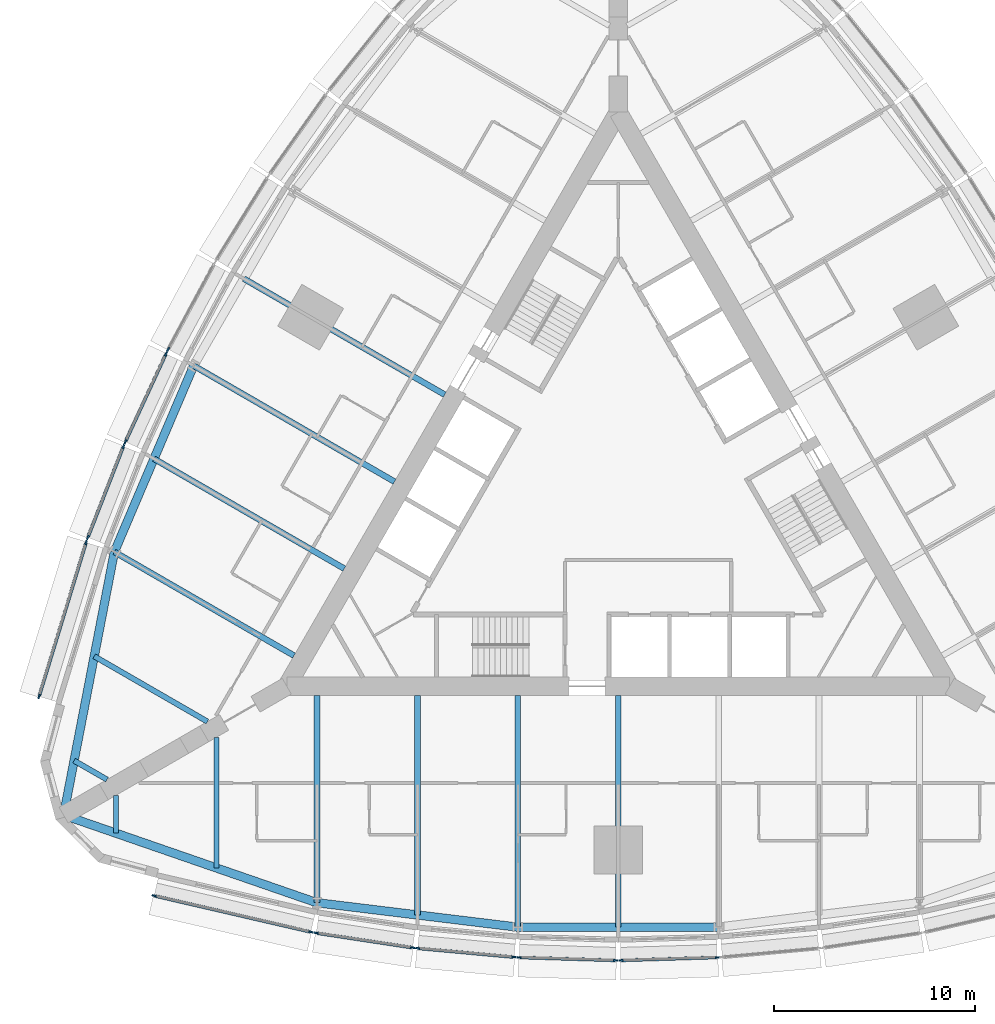
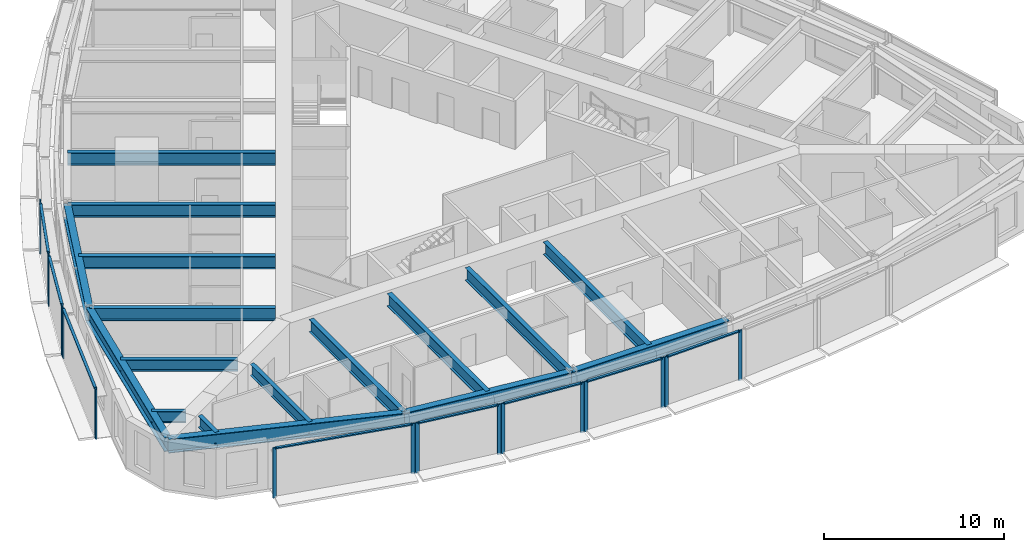
# One storey, part 2 of 14: 25 members, 17 beams, 9 elements without a shape of their own.
"""IFC4 building model written with IfcOpenShell, lengths in metres."""

from ifc_helpers import new_model, si_unit, direction, frame, origin, origin_2d, place, context, subcontext, project, spatial, rectangle, i_section, extrude, material, material_profile, profile_set, type_object, element, aggregate, save


model = new_model("IFC4")

# Units and contexts
model_context = context("Model", 3, precision=1e-05, world=origin(), true_north=direction((0.0, 1.0)))
body_context = subcontext(model_context, "Body", "Model", "MODEL_VIEW")
ifc_project = project(units=[si_unit("LENGTHUNIT", "METRE"), si_unit("AREAUNIT", "SQUARE_METRE"), si_unit("VOLUMEUNIT", "CUBIC_METRE"), si_unit("PLANEANGLEUNIT", "RADIAN"), si_unit("MASSUNIT", "GRAM", prefix="KILO")], contexts=[model_context])

# Site, building, storey
site_placement = place(None, origin())
site = spatial("IfcSite", under=ifc_project, at=site_placement, CompositionType="ELEMENT")
building_placement = place(site_placement, origin())
building = spatial("IfcBuilding", under=site, at=building_placement, Name="Trikona Tower", CompositionType="ELEMENT")
storey_placement = place(building_placement, frame((0.0, 0.0, 72.699951171875)))
storey = spatial("IfcBuildingStorey", under=building, at=storey_placement, Name="L18", CompositionType="ELEMENT", Elevation=72.699951171875)

# Curtain wall, members
ifc_material_1 = material(Name="Aluminium curtain wall system", Category="aluminium")
curtain_wall_type = type_object("IfcCurtainWallType", Name="Curtain wall DS1", PredefinedType="NOTDEFINED", material=ifc_material_1)
curtain_wall_1_placement = place(storey_placement, origin())
curtain_wall_1 = element("IfcCurtainWall", 1, at=curtain_wall_1_placement, inside=storey, type_object=curtain_wall_type, Name="Curtain wall DS1 L18", PredefinedType="NOTDEFINED")
ifc_material_2 = material(Name="Aluminium mullion, pale anodised", Category="aluminium")
ifc_material_profile_1 = material_profile(ifc_material_2, rectangle(XDim=0.080078125, YDim=0.219970703125, at=origin_2d()), Name="MUL-DS1")
ifc_profile_set_1 = profile_set([ifc_material_profile_1], Name="Aluminium mullion, pale anodised")
member_type_1 = type_object("IfcMemberType", Name="Mullion DS1 80x220", PredefinedType="MULLION", material=ifc_profile_set_1)
member_1_placement = place(storey_placement, frame((-23.10546875, -19.951904296875, 0.0), z_axis=(0.0, 0.0, 1.0), x_axis=(0.225343288756, 0.974279427173, 0.0)))
member_1 = element("IfcMember", 2, at=member_1_placement, type_object=member_type_1, Name="CW-DS1 mullion 1", PredefinedType="MULLION", context=body_context, shape_type="SweptSolid", body=[
    extrude(rectangle(XDim=0.080078125, YDim=0.219970703125, at=origin_2d()), origin(), (0.0, 0.0, 1.0), 3.400146484375),
])
member_2_placement = place(storey_placement, frame((-15.30029296875, -21.75732421875, 0.0), z_axis=(0.0, 0.0, 1.0), x_axis=(0.225343288756, 0.974279427173, 0.0)))
member_2 = element("IfcMember", 3, at=member_2_placement, type_object=member_type_1, Name="CW-DS1 mullion 2", PredefinedType="MULLION", context=body_context, shape_type="SweptSolid", body=[
    extrude(rectangle(XDim=0.080078125, YDim=0.219970703125, at=origin_2d()), origin(), (0.0, 0.0, 1.0), 3.400146484375),
])

curtain_wall_2_placement = place(storey_placement, origin())
curtain_wall_2 = element("IfcCurtainWall", 4, at=curtain_wall_2_placement, inside=storey, type_object=curtain_wall_type, Name="Curtain wall DS1 L18", PredefinedType="NOTDEFINED")
member_3_placement = place(storey_placement, frame((-15.03662109375, -21.807861328125, 0.0), z_axis=(0.0, 0.0, 1.0), x_axis=(0.150437693845, 0.988619492156, 0.0)))
member_3 = element("IfcMember", 5, at=member_3_placement, type_object=member_type_1, Name="CW-DS1 mullion 1", PredefinedType="MULLION", context=body_context, shape_type="SweptSolid", body=[
    extrude(rectangle(XDim=0.080078125, YDim=0.219970703125, at=origin_2d()), origin(), (0.0, 0.0, 1.0), 3.400146484375),
])
member_4_placement = place(storey_placement, frame((-10.234130859375, -22.53857421875, 0.0), z_axis=(0.0, 0.0, 1.0), x_axis=(0.150437693845, 0.988619492156, 0.0)))
member_4 = element("IfcMember", 6, at=member_4_placement, type_object=member_type_1, Name="CW-DS1 mullion 2", PredefinedType="MULLION", context=body_context, shape_type="SweptSolid", body=[
    extrude(rectangle(XDim=0.080078125, YDim=0.219970703125, at=origin_2d()), origin(), (0.0, 0.0, 1.0), 3.400146484375),
])

curtain_wall_3_placement = place(storey_placement, origin())
curtain_wall_3 = element("IfcCurtainWall", 7, at=curtain_wall_3_placement, inside=storey, type_object=curtain_wall_type, Name="Curtain wall DS1 L18", PredefinedType="NOTDEFINED")
member_5_placement = place(storey_placement, frame((-9.982177734375, -22.5693359375, 0.0), z_axis=(0.0, 0.0, 1.0), x_axis=(0.090923932737, 0.995857840485, 0.0)))
member_5 = element("IfcMember", 8, at=member_5_placement, type_object=member_type_1, Name="CW-DS1 mullion 1", PredefinedType="MULLION", context=body_context, shape_type="SweptSolid", body=[
    extrude(rectangle(XDim=0.080078125, YDim=0.219970703125, at=origin_2d()), origin(), (0.0, 0.0, 1.0), 3.400146484375),
])
member_6_placement = place(storey_placement, frame((-5.181396484375, -23.007568359375, 0.0), z_axis=(0.0, 0.0, 1.0), x_axis=(0.090923932737, 0.995857840485, 0.0)))
member_6 = element("IfcMember", 9, at=member_6_placement, type_object=member_type_1, Name="CW-DS1 mullion 2", PredefinedType="MULLION", context=body_context, shape_type="SweptSolid", body=[
    extrude(rectangle(XDim=0.080078125, YDim=0.219970703125, at=origin_2d()), origin(), (0.0, 0.0, 1.0), 3.400146484375),
])

curtain_wall_4_placement = place(storey_placement, origin())
curtain_wall_4 = element("IfcCurtainWall", 10, at=curtain_wall_4_placement, inside=storey, type_object=curtain_wall_type, Name="Curtain wall DS1 L18", PredefinedType="NOTDEFINED")
member_7_placement = place(storey_placement, frame((-4.927490234375, -23.02294921875, 0.0), z_axis=(0.0, 0.0, 1.0), x_axis=(0.030436711692, 0.999536695965, 0.0)))
member_7 = element("IfcMember", 11, at=member_7_placement, type_object=member_type_1, Name="CW-DS1 mullion 1", PredefinedType="MULLION", context=body_context, shape_type="SweptSolid", body=[
    extrude(rectangle(XDim=0.080078125, YDim=0.219970703125, at=origin_2d()), origin(), (0.0, 0.0, 1.0), 3.400146484375),
])
member_8_placement = place(storey_placement, frame((-0.12744140625, -23.169189453125, 0.0), z_axis=(0.0, 0.0, 1.0), x_axis=(0.030436711692, 0.999536695965, 0.0)))
member_8 = element("IfcMember", 12, at=member_8_placement, type_object=member_type_1, Name="CW-DS1 mullion 2", PredefinedType="MULLION", context=body_context, shape_type="SweptSolid", body=[
    extrude(rectangle(XDim=0.080078125, YDim=0.219970703125, at=origin_2d()), origin(), (0.0, 0.0, 1.0), 3.400146484375),
])

curtain_wall_5_placement = place(storey_placement, origin())
curtain_wall_5 = element("IfcCurtainWall", 13, at=curtain_wall_5_placement, inside=storey, type_object=curtain_wall_type, Name="Curtain wall DS1 L18", PredefinedType="NOTDEFINED")
member_9_placement = place(storey_placement, frame((0.12744140625, -23.169189453125, 0.0), z_axis=(0.0, 0.0, 1.0), x_axis=(-0.030436711692, 0.999536695965, 0.0)))
member_9 = element("IfcMember", 14, at=member_9_placement, type_object=member_type_1, Name="CW-DS1 mullion 1", PredefinedType="MULLION", context=body_context, shape_type="SweptSolid", body=[
    extrude(rectangle(XDim=0.080078125, YDim=0.219970703125, at=origin_2d()), origin(), (0.0, 0.0, 1.0), 3.400146484375),
])
member_10_placement = place(storey_placement, frame((4.927490234375, -23.02294921875, 0.0), z_axis=(0.0, 0.0, 1.0), x_axis=(-0.030436711692, 0.999536695965, 0.0)))
member_10 = element("IfcMember", 15, at=member_10_placement, type_object=member_type_1, Name="CW-DS1 mullion 2", PredefinedType="MULLION", context=body_context, shape_type="SweptSolid", body=[
    extrude(rectangle(XDim=0.080078125, YDim=0.219970703125, at=origin_2d()), origin(), (0.0, 0.0, 1.0), 3.400146484375),
])

# Curtain wall, member
curtain_wall_6_placement = place(storey_placement, origin())
curtain_wall_6 = element("IfcCurtainWall", 16, at=curtain_wall_6_placement, inside=storey, type_object=curtain_wall_type, Name="Curtain wall DS1 L18", PredefinedType="NOTDEFINED")
member_11_placement = place(storey_placement, frame((-22.402099609375, 7.244140625, 0.0), z_axis=(0.0, 0.0, 1.0), x_axis=(0.880843080975, -0.473408350896, 0.0)))
member_11 = element("IfcMember", 17, at=member_11_placement, type_object=member_type_1, Name="CW-DS1 mullion 2", PredefinedType="MULLION", context=body_context, shape_type="SweptSolid", body=[
    extrude(rectangle(XDim=0.080078125, YDim=0.219970703125, at=origin_2d()), origin(), (0.0, 0.0, 1.0), 3.400146484375),
])
aggregate(curtain_wall_6, [member_11])

# Curtain wall, members
curtain_wall_7_placement = place(storey_placement, origin())
curtain_wall_7 = element("IfcCurtainWall", 18, at=curtain_wall_7_placement, inside=storey, type_object=curtain_wall_type, Name="Curtain wall DS1 L18", PredefinedType="NOTDEFINED")
member_12_placement = place(storey_placement, frame((-22.515869140625, 7.0166015625, 0.0), z_axis=(0.0, 0.0, 1.0), x_axis=(0.907898459992, -0.419190155352, 0.0)))
member_12 = element("IfcMember", 19, at=member_12_placement, type_object=member_type_1, Name="CW-DS1 mullion 1", PredefinedType="MULLION", context=body_context, shape_type="SweptSolid", body=[
    extrude(rectangle(XDim=0.080078125, YDim=0.219970703125, at=origin_2d()), origin(), (0.0, 0.0, 1.0), 3.400146484375),
])
member_13_placement = place(storey_placement, frame((-24.53662109375, 2.6396484375, 0.0), z_axis=(0.0, 0.0, 1.0), x_axis=(0.907898459992, -0.419190155352, 0.0)))
member_13 = element("IfcMember", 20, at=member_13_placement, type_object=member_type_1, Name="CW-DS1 mullion 2", PredefinedType="MULLION", context=body_context, shape_type="SweptSolid", body=[
    extrude(rectangle(XDim=0.080078125, YDim=0.219970703125, at=origin_2d()), origin(), (0.0, 0.0, 1.0), 3.400146484375),
])

curtain_wall_8_placement = place(storey_placement, origin())
curtain_wall_8 = element("IfcCurtainWall", 21, at=curtain_wall_8_placement, inside=storey, type_object=curtain_wall_type, Name="Curtain wall DS1 L18", PredefinedType="NOTDEFINED")
member_14_placement = place(storey_placement, frame((-24.63623046875, 2.40625, 0.0), z_axis=(0.0, 0.0, 1.0), x_axis=(0.931395989443, -0.36400756977, 0.0)))
member_14 = element("IfcMember", 22, at=member_14_placement, type_object=member_type_1, Name="CW-DS1 mullion 1", PredefinedType="MULLION", context=body_context, shape_type="SweptSolid", body=[
    extrude(rectangle(XDim=0.080078125, YDim=0.219970703125, at=origin_2d()), origin(), (0.0, 0.0, 1.0), 3.400146484375),
])
member_15_placement = place(storey_placement, frame((-26.404296875, -2.1181640625, 0.0), z_axis=(0.0, 0.0, 1.0), x_axis=(0.931395989443, -0.36400756977, 0.0)))
member_15 = element("IfcMember", 23, at=member_15_placement, type_object=member_type_1, Name="CW-DS1 mullion 2", PredefinedType="MULLION", context=body_context, shape_type="SweptSolid", body=[
    extrude(rectangle(XDim=0.080078125, YDim=0.219970703125, at=origin_2d()), origin(), (0.0, 0.0, 1.0), 3.400146484375),
])

curtain_wall_9_placement = place(storey_placement, origin())
curtain_wall_9 = element("IfcCurtainWall", 24, at=curtain_wall_9_placement, inside=storey, type_object=curtain_wall_type, Name="Curtain wall DS1 L18", PredefinedType="NOTDEFINED")
member_16_placement = place(storey_placement, frame((-26.492431640625, -2.371826171875, 0.0), z_axis=(0.0, 0.0, 1.0), x_axis=(0.956423115383, -0.291984287868, 0.0)))
member_16 = element("IfcMember", 25, at=member_16_placement, type_object=member_type_1, Name="CW-DS1 mullion 1", PredefinedType="MULLION", context=body_context, shape_type="SweptSolid", body=[
    extrude(rectangle(XDim=0.080078125, YDim=0.219970703125, at=origin_2d()), origin(), (0.0, 0.0, 1.0), 3.400146484375),
])
member_17_placement = place(storey_placement, frame((-28.83154296875, -10.033935546875, 0.0), z_axis=(0.0, 0.0, 1.0), x_axis=(0.956423115383, -0.291984287868, 0.0)))
member_17 = element("IfcMember", 26, at=member_17_placement, type_object=member_type_1, Name="CW-DS1 mullion 2", PredefinedType="MULLION", context=body_context, shape_type="SweptSolid", body=[
    extrude(rectangle(XDim=0.080078125, YDim=0.219970703125, at=origin_2d()), origin(), (0.0, 0.0, 1.0), 3.400146484375),
])

# Beams
ifc_material_3 = material(Name="Steel ASTM A992 Grade 50", Category="steel")
ifc_material_profile_2 = material_profile(ifc_material_3, i_section(OverallWidth=0.2666015625, OverallDepth=0.76953125, WebThickness=0.015625, FlangeThickness=0.025390625, at=origin_2d()), Name="W30X132")
ifc_profile_set_2 = profile_set([ifc_material_profile_2], Name="Steel ASTM A992 Grade 50")
beam_type_1 = type_object("IfcBeamType", Name="Steel beam W30x132 (wedge)", PredefinedType="BEAM", material=ifc_profile_set_2)
beam_1_placement = place(storey_placement, frame((-25.0, -14.953369140625, 2.850341796875), z_axis=(0.0, -1.0, 0.0), x_axis=(1.0, 0.0, 0.0)))
element("IfcBeam", 27, at=beam_1_placement, inside=storey, type_object=beam_type_1, Name="Floor beam L19 F1 u-25", PredefinedType="BEAM", context=body_context, shape_type="SweptSolid", body=[
    extrude(i_section(OverallWidth=0.2666015625, OverallDepth=0.76953125, WebThickness=0.015625, FlangeThickness=0.025390625, at=origin_2d()), origin(), (0.0, 0.0, 1.0), 1.890380859375),
])
for number, where, z_axis, x_axis, name in (
    (28, (-20.0, -12.066650390625, 2.850341796875), (0.0, -1.0, 0.0), (1.0, 0.0, 0.0), "Floor beam L19 F1 u-20"),
    (29, (-20.449951171875, -11.287109375, 2.850341796875), (-0.866022504693, 0.50000502134, 0.0), (-0.50000502134, -0.866022504693, 0.0), "Floor beam L19 F3 u20"),
):
    element("IfcBeam", number, at=place(storey_placement, frame(where, z_axis=z_axis, x_axis=x_axis)), inside=storey, type_object=beam_type_1, Name=name, PredefinedType="BEAM", context=body_context, shape_type="SweptSolid", body=[
        extrude(i_section(OverallWidth=0.2666015625, OverallDepth=0.76953125, WebThickness=0.015625, FlangeThickness=0.025390625, at=origin_2d()), origin(), (0.0, 0.0, 1.0), 6.5068359375),
    ])
beam_2_placement = place(storey_placement, frame((-25.449951171875, -14.173828125, 2.850341796875), z_axis=(-0.866065156741, 0.499931139538, 0.0), x_axis=(-0.499931139538, -0.866065156741, 0.0)))
element("IfcBeam", 30, at=beam_2_placement, inside=storey, type_object=beam_type_1, Name="Floor beam L19 F3 u25", PredefinedType="BEAM", context=body_context, shape_type="SweptSolid", body=[
    extrude(i_section(OverallWidth=0.2666015625, OverallDepth=0.76953125, WebThickness=0.015625, FlangeThickness=0.025390625, at=origin_2d()), origin(), (0.0, 0.0, 1.0), 1.890380859375),
])
ifc_material_4 = material(Name="Steel ASTM A992 Grade 50", Category="steel")
ifc_material_profile_3 = material_profile(ifc_material_4, i_section(OverallWidth=0.2919921875, OverallDepth=0.845703125, WebThickness=0.015380859375, FlangeThickness=0.0244140625, at=origin_2d()), Name="W33X141")
ifc_profile_set_3 = profile_set([ifc_material_profile_3], Name="Steel ASTM A992 Grade 50")
beam_type_2 = type_object("IfcBeamType", Name="Steel beam W33x141 (radial typ)", PredefinedType="BEAM", material=ifc_profile_set_3)
beam_3_placement = place(storey_placement, frame((-15.0, -9.976318359375, 2.812255859375), z_axis=(0.0, -1.0, 0.0), x_axis=(1.0, 0.0, 0.0)))
element("IfcBeam", 31, at=beam_3_placement, inside=storey, type_object=beam_type_2, Name="Floor beam L19 F1 u-15", PredefinedType="BEAM", context=body_context, shape_type="SweptSolid", body=[
    extrude(i_section(OverallWidth=0.2919921875, OverallDepth=0.845703125, WebThickness=0.015380859375, FlangeThickness=0.0244140625, at=origin_2d()), origin(), (0.0, 0.0, 1.0), 10.32666015625),
])
beam_4_placement = place(storey_placement, frame((-10.0, -9.976318359375, 2.812255859375), z_axis=(0.0, -1.0, 0.0), x_axis=(1.0, 0.0, 0.0)))
element("IfcBeam", 32, at=beam_4_placement, inside=storey, type_object=beam_type_2, Name="Floor beam L19 F1 u-10", PredefinedType="BEAM", context=body_context, shape_type="SweptSolid", body=[
    extrude(i_section(OverallWidth=0.2919921875, OverallDepth=0.845703125, WebThickness=0.015380859375, FlangeThickness=0.0244140625, at=origin_2d()), origin(), (0.0, 0.0, 1.0), 10.935302734375),
])
for number, where, z_axis, x_axis, name in (
    (33, (-5.0, -9.976318359375, 2.812255859375), (0.0, -1.0, 0.0), (1.0, 0.0, 0.0), "Floor beam L19 F1 u-5"),
    (34, (0.0, -9.976318359375, 2.812255859375), (0.0, -1.0, 0.0), (1.0, 0.0, 0.0), "Floor beam L19 F1 u0"),
    (35, (-8.6396484375, 4.988037109375, 2.812255859375), (-0.866020765707, 0.500008033299, 0.0), (-0.500008033299, -0.866020765707, 0.0), "Floor beam L19 F3 u0"),
    (36, (-11.1396484375, 0.657958984375, 2.812255859375), (-0.866020765707, 0.500008033299, 0.0), (-0.500008033299, -0.866020765707, 0.0), "Floor beam L19 F3 u5"),
):
    element("IfcBeam", number, at=place(storey_placement, frame(where, z_axis=z_axis, x_axis=x_axis)), inside=storey, type_object=beam_type_2, Name=name, PredefinedType="BEAM", context=body_context, shape_type="SweptSolid", body=[
        extrude(i_section(OverallWidth=0.2919921875, OverallDepth=0.845703125, WebThickness=0.015380859375, FlangeThickness=0.0244140625, at=origin_2d()), origin(), (0.0, 0.0, 1.0), 11.544189453125),
    ])
beam_5_placement = place(storey_placement, frame((-13.6396484375, -3.672119140625, 2.812255859375), z_axis=(-0.866025348605, 0.500000095573, 0.0), x_axis=(-0.500000095573, -0.866025348605, 0.0)))
element("IfcBeam", 37, at=beam_5_placement, inside=storey, type_object=beam_type_2, Name="Floor beam L19 F3 u10", PredefinedType="BEAM", context=body_context, shape_type="SweptSolid", body=[
    extrude(i_section(OverallWidth=0.2919921875, OverallDepth=0.845703125, WebThickness=0.015380859375, FlangeThickness=0.0244140625, at=origin_2d()), origin(), (0.0, 0.0, 1.0), 10.935546875),
])
beam_6_placement = place(storey_placement, frame((-16.1396484375, -8.002197265625, 2.812255859375), z_axis=(-0.866030471684, 0.499991222037, 0.0), x_axis=(-0.499991222037, -0.866030471684, 0.0)))
element("IfcBeam", 38, at=beam_6_placement, inside=storey, type_object=beam_type_2, Name="Floor beam L19 F3 u15", PredefinedType="BEAM", context=body_context, shape_type="SweptSolid", body=[
    extrude(i_section(OverallWidth=0.2919921875, OverallDepth=0.845703125, WebThickness=0.015380859375, FlangeThickness=0.0244140625, at=origin_2d()), origin(), (0.0, 0.0, 1.0), 10.326904296875),
])
ifc_material_5 = material(Name="Steel ASTM A992 Grade 50", Category="steel")
ifc_material_profile_4 = material_profile(ifc_material_5, i_section(OverallWidth=0.424072265625, OverallDepth=0.947509765625, WebThickness=0.02392578125, FlangeThickness=0.042724609375, at=origin_2d()), Name="W36X302")
ifc_profile_set_4 = profile_set([ifc_material_profile_4], Name="Steel ASTM A992 Grade 50")
beam_type_3 = type_object("IfcBeamType", Name="Steel beam W36x302 (spandrel)", PredefinedType="SPANDREL", material=ifc_profile_set_4)
beam_7_placement = place(storey_placement, frame((-27.6103515625, -15.94091796875, 2.76123046875), z_axis=(0.945056965739, -0.326905692071, 0.0), x_axis=(0.326905692071, 0.945056965739, 0.0)))
element("IfcBeam", 39, at=beam_7_placement, inside=storey, type_object=beam_type_3, Name="Spandrel beam L19 F1-1", PredefinedType="SPANDREL", context=body_context, shape_type="SweptSolid", body=[
    extrude(i_section(OverallWidth=0.424072265625, OverallDepth=0.947509765625, WebThickness=0.02392578125, FlangeThickness=0.042724609375, at=origin_2d()), origin(), (0.0, 0.0, 1.0), 13.343505859375),
])
beam_8_placement = place(storey_placement, frame((-15.0, -20.302978515625, 2.76123046875), z_axis=(0.99266951126, -0.120860421207, 0.0), x_axis=(0.120860421207, 0.99266951126, 0.0)))
element("IfcBeam", 40, at=beam_8_placement, inside=storey, type_object=beam_type_3, Name="Spandrel beam L19 F1-2", PredefinedType="SPANDREL", context=body_context, shape_type="SweptSolid", body=[
    extrude(i_section(OverallWidth=0.424072265625, OverallDepth=0.947509765625, WebThickness=0.02392578125, FlangeThickness=0.042724609375, at=origin_2d()), origin(), (0.0, 0.0, 1.0), 10.07373046875),
])
beam_9_placement = place(storey_placement, frame((-5.0, -21.5205078125, 2.76123046875), z_axis=(1.0, 0.0, 0.0), x_axis=(0.0, 1.0, 0.0)))
element("IfcBeam", 41, at=beam_9_placement, inside=storey, type_object=beam_type_3, Name="Spandrel beam L19 F1-3", PredefinedType="SPANDREL", context=body_context, shape_type="SweptSolid", body=[
    extrude(i_section(OverallWidth=0.424072265625, OverallDepth=0.947509765625, WebThickness=0.02392578125, FlangeThickness=0.042724609375, at=origin_2d()), origin(), (0.0, 0.0, 1.0), 10.0),
])
beam_10_placement = place(storey_placement, frame((-21.13720703125, 6.43017578125, 2.76123046875), z_axis=(-0.391683514847, -0.920100007715, 0.0), x_axis=(0.920100007715, -0.391683514847, 0.0)))
element("IfcBeam", 42, at=beam_10_placement, inside=storey, type_object=beam_type_3, Name="Spandrel beam L19 F3-4", PredefinedType="SPANDREL", context=body_context, shape_type="SweptSolid", body=[
    extrude(i_section(OverallWidth=0.424072265625, OverallDepth=0.947509765625, WebThickness=0.02392578125, FlangeThickness=0.042724609375, at=origin_2d()), origin(), (0.0, 0.0, 1.0), 10.073974609375),
])
beam_11_placement = place(storey_placement, frame((-25.0830078125, -2.8388671875, 2.76123046875), z_axis=(-0.189405184036, -0.981899015307, 0.0), x_axis=(0.981899015307, -0.189405184036, 0.0)))
element("IfcBeam", 43, at=beam_11_placement, inside=storey, type_object=beam_type_3, Name="Spandrel beam L19 F3-5", PredefinedType="SPANDREL", context=body_context, shape_type="SweptSolid", body=[
    extrude(i_section(OverallWidth=0.424072265625, OverallDepth=0.947509765625, WebThickness=0.02392578125, FlangeThickness=0.042724609375, at=origin_2d()), origin(), (0.0, 0.0, 1.0), 13.343505859375),
])

# Member
ifc_material_6 = material(Name="Aluminium transom, pale anodised", Category="aluminium")
ifc_material_profile_5 = material_profile(ifc_material_6, rectangle(XDim=0.159912109375, YDim=0.080078125, at=origin_2d()), Name="TRN-DS1")
ifc_profile_set_5 = profile_set([ifc_material_profile_5], Name="Aluminium transom, pale anodised")
member_type_2 = type_object("IfcMemberType", Name="Transom DS1 80x160", PredefinedType="USERDEFINED", material=ifc_profile_set_5)
member_18_placement = place(storey_placement, frame((-23.06640625, -19.9609375, 3.360107421875), z_axis=(0.974275371842, -0.225360821398, 0.0), x_axis=(0.225360821398, 0.974275371842, 0.0)))
member_18 = element("IfcMember", 44, at=member_18_placement, type_object=member_type_2, Name="CW-DS1 transom 1.1", ObjectType="TRANSOM", PredefinedType="USERDEFINED", context=body_context, shape_type="SweptSolid", body=[
    extrude(rectangle(XDim=0.159912109375, YDim=0.080078125, at=origin_2d()), origin(), (0.0, 0.0, 1.0), 7.93115234375),
])

aggregate(curtain_wall_1, [member_1, member_2, member_18])

member_19_placement = place(storey_placement, frame((-14.9970703125, -21.813720703125, 3.360107421875), z_axis=(0.988619663412, -0.150436568413, 0.0), x_axis=(0.150436568413, 0.988619663412, 0.0)))
member_19 = element("IfcMember", 45, at=member_19_placement, type_object=member_type_2, Name="CW-DS1 transom 1.1", ObjectType="TRANSOM", PredefinedType="USERDEFINED", context=body_context, shape_type="SweptSolid", body=[
    extrude(rectangle(XDim=0.159912109375, YDim=0.080078125, at=origin_2d()), origin(), (0.0, 0.0, 1.0), 4.77783203125),
])

aggregate(curtain_wall_2, [member_3, member_4, member_19])

member_20_placement = place(storey_placement, frame((-9.9423828125, -22.57275390625, 3.360107421875), z_axis=(0.995855977008, -0.090944340438, 0.0), x_axis=(0.090944340438, 0.995855977008, 0.0)))
member_20 = element("IfcMember", 46, at=member_20_placement, type_object=member_type_2, Name="CW-DS1 transom 1.1", ObjectType="TRANSOM", PredefinedType="USERDEFINED", context=body_context, shape_type="SweptSolid", body=[
    extrude(rectangle(XDim=0.159912109375, YDim=0.080078125, at=origin_2d()), origin(), (0.0, 0.0, 1.0), 4.74072265625),
])

aggregate(curtain_wall_3, [member_5, member_6, member_20])

member_21_placement = place(storey_placement, frame((-4.887451171875, -23.024169921875, 3.360107421875), z_axis=(0.999536232946, -0.030451913371, 0.0), x_axis=(0.030451913371, 0.999536232946, 0.0)))
member_21 = element("IfcMember", 47, at=member_21_placement, type_object=member_type_2, Name="CW-DS1 transom 1.1", ObjectType="TRANSOM", PredefinedType="USERDEFINED", context=body_context, shape_type="SweptSolid", body=[
    extrude(rectangle(XDim=0.159912109375, YDim=0.080078125, at=origin_2d()), origin(), (0.0, 0.0, 1.0), 4.72216796875),
])

aggregate(curtain_wall_4, [member_7, member_8, member_21])

member_22_placement = place(storey_placement, frame((0.16748046875, -23.16796875, 3.360107421875), z_axis=(0.999536232946, 0.030451913371, 0.0), x_axis=(-0.030451913371, 0.999536232946, 0.0)))
member_22 = element("IfcMember", 48, at=member_22_placement, type_object=member_type_2, Name="CW-DS1 transom 1.1", ObjectType="TRANSOM", PredefinedType="USERDEFINED", context=body_context, shape_type="SweptSolid", body=[
    extrude(rectangle(XDim=0.159912109375, YDim=0.080078125, at=origin_2d()), origin(), (0.0, 0.0, 1.0), 4.72216796875),
])

aggregate(curtain_wall_5, [member_9, member_10, member_22])

member_23_placement = place(storey_placement, frame((-22.53271484375, 6.980224609375, 3.360107421875), z_axis=(-0.419188800665, -0.90789908547, 0.0), x_axis=(0.90789908547, -0.419188800665, 0.0)))
member_23 = element("IfcMember", 49, at=member_23_placement, type_object=member_type_2, Name="CW-DS1 transom 1.1", ObjectType="TRANSOM", PredefinedType="USERDEFINED", context=body_context, shape_type="SweptSolid", body=[
    extrude(rectangle(XDim=0.159912109375, YDim=0.080078125, at=origin_2d()), origin(), (0.0, 0.0, 1.0), 4.74072265625),
])

aggregate(curtain_wall_7, [member_12, member_13, member_23])

member_24_placement = place(storey_placement, frame((-24.650634765625, 2.368896484375, 3.360107421875), z_axis=(-0.364048647668, -0.931379934362, 0.0), x_axis=(0.931379934362, -0.364048647668, 0.0)))
member_24 = element("IfcMember", 50, at=member_24_placement, type_object=member_type_2, Name="CW-DS1 transom 1.1", ObjectType="TRANSOM", PredefinedType="USERDEFINED", context=body_context, shape_type="SweptSolid", body=[
    extrude(rectangle(XDim=0.159912109375, YDim=0.080078125, at=origin_2d()), origin(), (0.0, 0.0, 1.0), 4.777587890625),
])

aggregate(curtain_wall_8, [member_14, member_15, member_24])

member_25_placement = place(storey_placement, frame((-26.504150390625, -2.409912109375, 3.360107421875), z_axis=(-0.291967490203, -0.956428243343, 0.0), x_axis=(0.956428243343, -0.291967490203, 0.0)))
member_25 = element("IfcMember", 51, at=member_25_placement, type_object=member_type_2, Name="CW-DS1 transom 1.1", ObjectType="TRANSOM", PredefinedType="USERDEFINED", context=body_context, shape_type="SweptSolid", body=[
    extrude(rectangle(XDim=0.159912109375, YDim=0.080078125, at=origin_2d()), origin(), (0.0, 0.0, 1.0), 7.93115234375),
])

aggregate(curtain_wall_9, [member_16, member_17, member_25])

save(model, "model.ifc")
